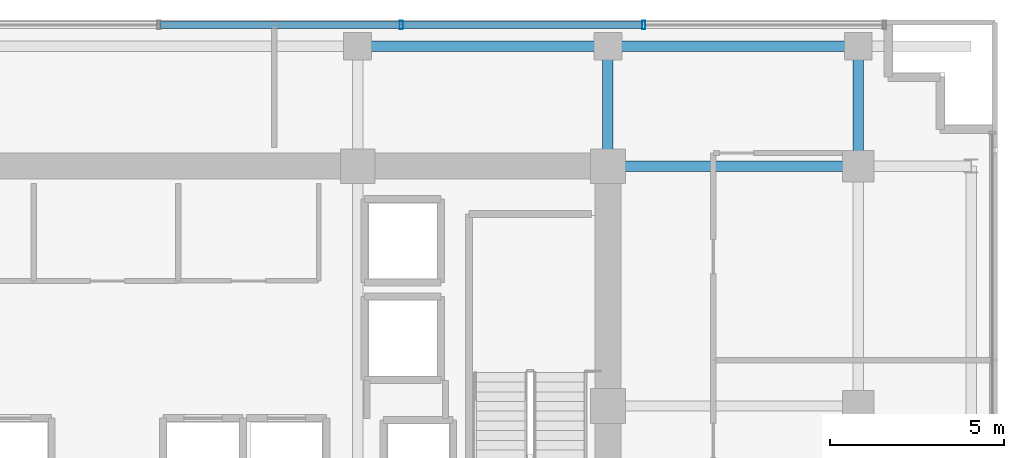
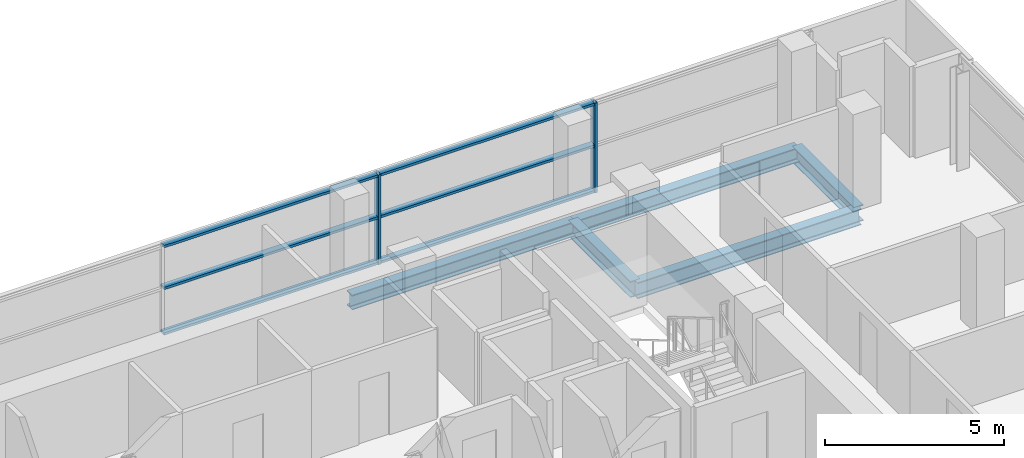
# One storey, part 16 of 25: 8 members, 5 beams, 1 element without a shape of its own.
"""IFC4 building model written with IfcOpenShell, lengths in metres."""

from ifc_helpers import new_model, si_unit, direction, frame, origin, origin_2d, place, context, subcontext, project, spatial, hollow_rectangle, i_section, extrude, source, transform, mapped, material, layer, layer_set, material_profile, profile_set, type_object, element, aggregate, save


model = new_model("IFC4")

# Units and contexts
model_context = context("Model", 3, precision=1e-05, world=origin(), true_north=direction((0.0, 1.0)))
body_context = subcontext(model_context, "Body", "Model", "MODEL_VIEW")
ifc_project = project(units=[si_unit("LENGTHUNIT", "METRE"), si_unit("AREAUNIT", "SQUARE_METRE"), si_unit("VOLUMEUNIT", "CUBIC_METRE"), si_unit("PLANEANGLEUNIT", "RADIAN"), si_unit("MASSUNIT", "GRAM", prefix="KILO")], contexts=[model_context])

# Site, building, storey
site_placement = place(None, origin())
site = spatial("IfcSite", under=ifc_project, at=site_placement, CompositionType="ELEMENT")
building_placement = place(site_placement, origin())
building = spatial("IfcBuilding", under=site, at=building_placement, Name="Zarnakvel Exchange Tower", CompositionType="ELEMENT")
storey_placement = place(building_placement, frame((0.0, 0.0, 100.0)))
storey = spatial("IfcBuildingStorey", under=building, at=storey_placement, Name="L27", CompositionType="ELEMENT", Elevation=100.0)

# Beams
ifc_material_1 = material(Name="Steel S355", Category="steel")
ifc_material_profile_1 = material_profile(ifc_material_1, i_section(OverallWidth=0.300048828125, OverallDepth=0.550048828125, WebThickness=0.014892578125, FlangeThickness=0.029052734375, FilletRadius=0.027099609375, at=origin_2d()))
ifc_profile_set_1 = profile_set([ifc_material_profile_1], Name="Steel S355")
beam_type_1 = type_object("IfcBeamType", Name="G-05", PredefinedType="BEAM", material=ifc_profile_set_1)
beam_1_placement = place(storey_placement, frame((14.39990234375, 13.5, -0.5), z_axis=(1.0, 0.0, 0.0), x_axis=(0.0, 1.0, 0.0)))
element("IfcBeam", 1, at=beam_1_placement, inside=storey, type_object=beam_type_1, Name="L27 Tower E-W Frame Beam", PredefinedType="BEAM", context=body_context, shape_type="SweptSolid", body=[
    extrude(i_section(OverallWidth=0.300048828125, OverallDepth=0.550048828125, WebThickness=0.014892578125, FlangeThickness=0.029052734375, FilletRadius=0.027099609375, at=origin_2d()), origin(), (0.0, 0.0, 1.0), 7.2001953125),
])
for number, where, z_axis, x_axis, name in (
    (2, (14.39990234375, 13.5, -0.5), (0.0, 1.0, 0.0), (-1.0, 0.0, 0.0), "L27 Tower N-S Frame Beam"),
    (3, (21.60009765625, 13.5, -0.5), (0.0, 1.0, 0.0), (-1.0, 0.0, 0.0), "L27 Tower N-S Frame Beam"),
):
    element("IfcBeam", number, at=place(storey_placement, frame(where, z_axis=z_axis, x_axis=x_axis)), inside=storey, type_object=beam_type_1, Name=name, PredefinedType="BEAM", context=body_context, shape_type="SweptSolid", body=[
        extrude(i_section(OverallWidth=0.300048828125, OverallDepth=0.550048828125, WebThickness=0.014892578125, FlangeThickness=0.029052734375, FilletRadius=0.027099609375, at=origin_2d()), origin(), (0.0, 0.0, 1.0), 3.449951171875),
    ])
ifc_material_profile_2 = material_profile(ifc_material_1, i_section(OverallWidth=0.300048828125, OverallDepth=0.5, WebThickness=0.014404296875, FlangeThickness=0.028076171875, FilletRadius=0.027099609375, at=origin_2d()))
ifc_profile_set_2 = profile_set([ifc_material_profile_2], Name="Steel S355")
beam_type_2 = type_object("IfcBeamType", Name="SP-02", PredefinedType="SPANDREL", material=ifc_profile_set_2)
beam_2_placement = place(storey_placement, frame((7.199951171875, 16.949951171875, -0.47509765625), z_axis=(1.0, 0.0, 0.0), x_axis=(0.0, 1.0, 0.0)))
element("IfcBeam", 4, at=beam_2_placement, inside=storey, type_object=beam_type_2, Name="L27 Tower E-W Frame Beam", PredefinedType="SPANDREL", context=body_context, shape_type="SweptSolid", body=[
    extrude(i_section(OverallWidth=0.300048828125, OverallDepth=0.5, WebThickness=0.014404296875, FlangeThickness=0.028076171875, FilletRadius=0.027099609375, at=origin_2d()), origin(), (0.0, 0.0, 1.0), 7.199951171875),
])
beam_3_placement = place(storey_placement, frame((14.39990234375, 16.949951171875, -0.47509765625), z_axis=(1.0, 0.0, 0.0), x_axis=(0.0, 1.0, 0.0)))
element("IfcBeam", 5, at=beam_3_placement, inside=storey, type_object=beam_type_2, Name="L27 Tower E-W Frame Beam", PredefinedType="SPANDREL", context=body_context, shape_type="SweptSolid", body=[
    extrude(i_section(OverallWidth=0.300048828125, OverallDepth=0.5, WebThickness=0.014404296875, FlangeThickness=0.028076171875, FilletRadius=0.027099609375, at=origin_2d()), origin(), (0.0, 0.0, 1.0), 7.2001953125),
])

# Curtain wall, members
ifc_material_2 = material(Name="Architectural Bronze Anodised Aluminium", Category="aluminium")
ifc_layer = layer(ifc_material_2, 0.239990234375)
ifc_layer_set = layer_set([ifc_layer], Name="Architectural Bronze Anodised Aluminium")
curtain_wall_type = type_object("IfcCurtainWallType", Name="CW-02", PredefinedType="NOTDEFINED", material=ifc_layer_set)
curtain_wall_placement = place(storey_placement, origin())
curtain_wall = element("IfcCurtainWall", 6, at=curtain_wall_placement, inside=storey, type_object=curtain_wall_type, Name="L27 Curtain Wall CW-L27-N1 (CW-02)", PredefinedType="NOTDEFINED")
ifc_material_profile_3 = material_profile(ifc_material_2, hollow_rectangle(XDim=0.239990234375, YDim=0.090087890625, WallThickness=0.006103515625, at=origin_2d()))
ifc_profile_set_3 = profile_set([ifc_material_profile_3], Name="Architectural Bronze Anodised Aluminium")
member_type_1 = type_object("IfcMemberType", Name="CWM-02", PredefinedType="MULLION", material=ifc_profile_set_3)
shared_shape_1 = source(origin(), body_context, "Body", "SweptSolid", [
    extrude(hollow_rectangle(XDim=0.239990234375, YDim=0.090087890625, WallThickness=0.006103515625, at=origin_2d()), origin(), (0.0, 0.0, 1.0), 3.054931640625),
])
member_1_placement = place(storey_placement, frame((8.45703125, 17.56005859375, 0.0), z_axis=(0.0, 0.0, 1.0), x_axis=(0.0, 1.0, 0.0)))
member_1 = element("IfcMember", 7, at=member_1_placement, type_object=member_type_1, Name="CW-02 mullion 6", PredefinedType="MULLION", context=body_context, shape_type="MappedRepresentation", body=[
    mapped(shared_shape_1, transform((0.0, 0.0, 0.0), x_axis=(1.0, 0.0, 0.0), y_axis=(0.0, 1.0, 0.0), z_axis=(0.0, 0.0, 1.0), scale=1.0)),
])
member_2_placement = place(storey_placement, frame((15.428466796875, 17.56005859375, 0.0), z_axis=(0.0, 0.0, 1.0), x_axis=(0.0, 1.0, 0.0)))
member_2 = element("IfcMember", 8, at=member_2_placement, type_object=member_type_1, Name="CW-02 mullion 7", PredefinedType="MULLION", context=body_context, shape_type="MappedRepresentation", body=[
    mapped(shared_shape_1, transform((0.0, 0.0, 0.0), x_axis=(1.0, 0.0, 0.0), y_axis=(0.0, 1.0, 0.0), z_axis=(0.0, 0.0, 1.0), scale=1.0)),
])
ifc_material_profile_4 = material_profile(ifc_material_2, hollow_rectangle(XDim=0.199951171875, YDim=0.0849609375, WallThickness=0.0048828125, at=origin_2d()))
ifc_profile_set_4 = profile_set([ifc_material_profile_4], Name="Architectural Bronze Anodised Aluminium")
member_type_2 = type_object("IfcMemberType", Name="CWT-02", PredefinedType="USERDEFINED", material=ifc_profile_set_4)
shared_shape_2 = source(origin(), body_context, "Body", "SweptSolid", [
    extrude(hollow_rectangle(XDim=0.199951171875, YDim=0.0849609375, WallThickness=0.0048828125, at=origin_2d()), origin(), (0.0, 0.0, 1.0), 6.88134765625),
])
member_3_placement = place(storey_placement, frame((1.53076171875, 17.56005859375, 0.04248046875), z_axis=(1.0, 0.0, 0.0), x_axis=(0.0, 1.0, 0.0)))
member_3 = element("IfcMember", 9, at=member_3_placement, type_object=member_type_2, Name="CW-02 transom 5.1", ObjectType="TRANSOM", PredefinedType="USERDEFINED", context=body_context, shape_type="MappedRepresentation", body=[
    mapped(shared_shape_2, transform((0.0, 0.0, 0.0), x_axis=(1.0, 0.0, 0.0), y_axis=(0.0, 1.0, 0.0), z_axis=(0.0, 0.0, 1.0), scale=1.0)),
])
member_4_placement = place(storey_placement, frame((1.53076171875, 17.56005859375, 1.588623046875), z_axis=(1.0, 0.0, 0.0), x_axis=(0.0, 1.0, 0.0)))
member_4 = element("IfcMember", 10, at=member_4_placement, type_object=member_type_2, Name="CW-02 transom 5.2", ObjectType="TRANSOM", PredefinedType="USERDEFINED", context=body_context, shape_type="MappedRepresentation", body=[
    mapped(shared_shape_2, transform((0.0, 0.0, 0.0), x_axis=(1.0, 0.0, 0.0), y_axis=(0.0, 1.0, 0.0), z_axis=(0.0, 0.0, 1.0), scale=1.0)),
])
member_5_placement = place(storey_placement, frame((1.53076171875, 17.56005859375, 3.012451171875), z_axis=(1.0, 0.0, 0.0), x_axis=(0.0, 1.0, 0.0)))
member_5 = element("IfcMember", 11, at=member_5_placement, type_object=member_type_2, Name="CW-02 transom 5.3", ObjectType="TRANSOM", PredefinedType="USERDEFINED", context=body_context, shape_type="MappedRepresentation", body=[
    mapped(shared_shape_2, transform((0.0, 0.0, 0.0), x_axis=(1.0, 0.0, 0.0), y_axis=(0.0, 1.0, 0.0), z_axis=(0.0, 0.0, 1.0), scale=1.0)),
])
member_6_placement = place(storey_placement, frame((8.502197265625, 17.56005859375, 0.04248046875), z_axis=(1.0, 0.0, 0.0), x_axis=(0.0, 1.0, 0.0)))
member_6 = element("IfcMember", 12, at=member_6_placement, type_object=member_type_2, Name="CW-02 transom 6.1", ObjectType="TRANSOM", PredefinedType="USERDEFINED", context=body_context, shape_type="MappedRepresentation", body=[
    mapped(shared_shape_2, transform((0.0, 0.0, 0.0), x_axis=(1.0, 0.0, 0.0), y_axis=(0.0, 1.0, 0.0), z_axis=(0.0, 0.0, 1.0), scale=1.0)),
])
member_7_placement = place(storey_placement, frame((8.502197265625, 17.56005859375, 1.588623046875), z_axis=(1.0, 0.0, 0.0), x_axis=(0.0, 1.0, 0.0)))
member_7 = element("IfcMember", 13, at=member_7_placement, type_object=member_type_2, Name="CW-02 transom 6.2", ObjectType="TRANSOM", PredefinedType="USERDEFINED", context=body_context, shape_type="MappedRepresentation", body=[
    mapped(shared_shape_2, transform((0.0, 0.0, 0.0), x_axis=(1.0, 0.0, 0.0), y_axis=(0.0, 1.0, 0.0), z_axis=(0.0, 0.0, 1.0), scale=1.0)),
])
member_8_placement = place(storey_placement, frame((8.502197265625, 17.56005859375, 3.012451171875), z_axis=(1.0, 0.0, 0.0), x_axis=(0.0, 1.0, 0.0)))
member_8 = element("IfcMember", 14, at=member_8_placement, type_object=member_type_2, Name="CW-02 transom 6.3", ObjectType="TRANSOM", PredefinedType="USERDEFINED", context=body_context, shape_type="MappedRepresentation", body=[
    mapped(shared_shape_2, transform((0.0, 0.0, 0.0), x_axis=(1.0, 0.0, 0.0), y_axis=(0.0, 1.0, 0.0), z_axis=(0.0, 0.0, 1.0), scale=1.0)),
])
aggregate(curtain_wall, [member_1, member_2, member_3, member_4, member_5, member_6, member_7, member_8])

save(model, "model.ifc")
